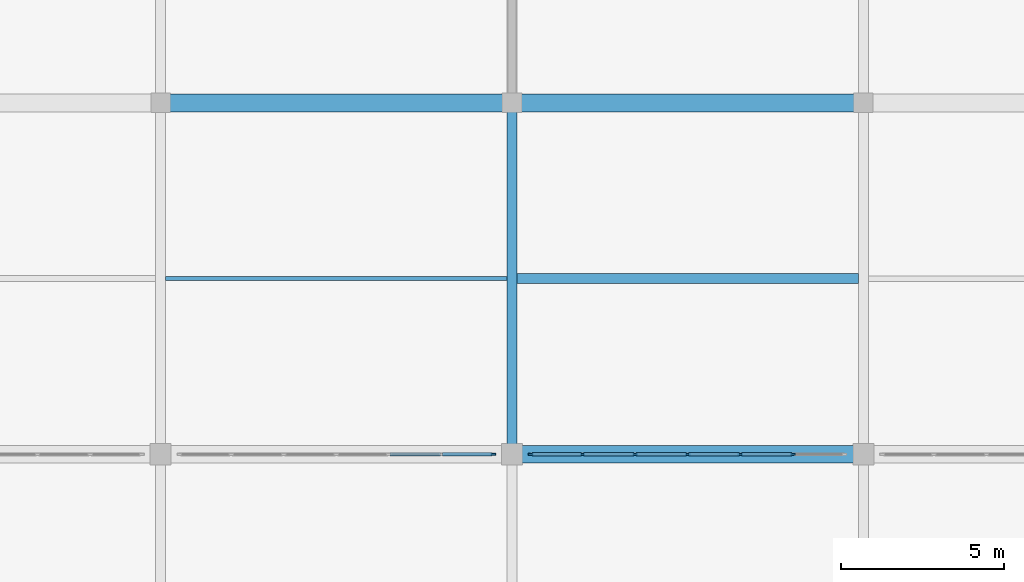
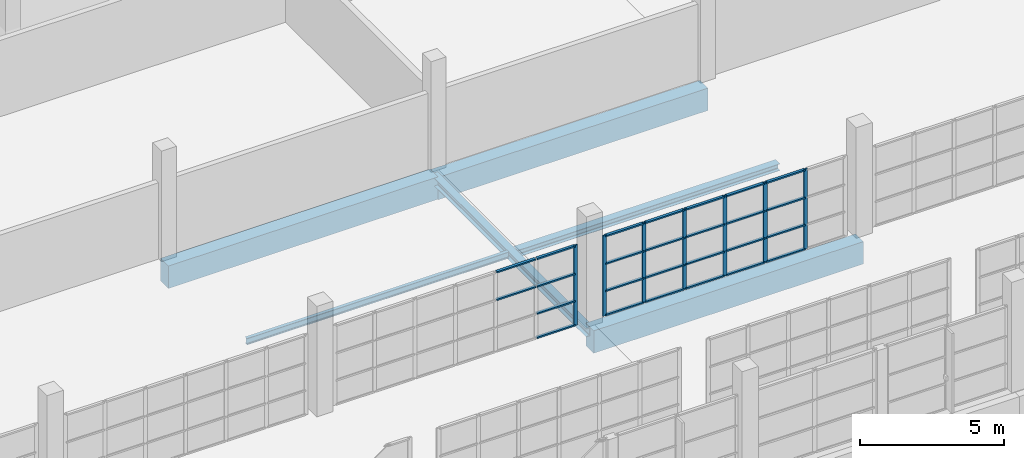
# One storey, part 50 of 142: 33 members, 6 beams, 2 elements without a shape of their own.
"""IFC4 building model written with IfcOpenShell, lengths in metres."""

from ifc_helpers import new_model, si_unit, direction, frame, origin, origin_2d, place, context, subcontext, project, spatial, rectangle, i_section, extrude, material, material_profile, profile_set, type_object, element, aggregate, save


model = new_model("IFC4")

# Units and contexts
model_context = context("Model", 3, precision=1e-05, world=origin(), true_north=direction((0.0, 1.0)))
body_context = subcontext(model_context, "Body", "Model", "MODEL_VIEW")
ifc_project = project(units=[si_unit("LENGTHUNIT", "METRE"), si_unit("AREAUNIT", "SQUARE_METRE"), si_unit("VOLUMEUNIT", "CUBIC_METRE"), si_unit("PLANEANGLEUNIT", "RADIAN"), si_unit("MASSUNIT", "GRAM", prefix="KILO")], contexts=[model_context])

# Site, building, storey
site_placement = place(None, origin())
site = spatial("IfcSite", under=ifc_project, at=site_placement, CompositionType="ELEMENT")
building_placement = place(site_placement, origin())
building = spatial("IfcBuilding", under=site, at=building_placement, Name="Zwinboog Wholesale Market", CompositionType="ELEMENT")
storey_placement = place(building_placement, frame((0.0, 0.0, 5.39990234375)))
storey = spatial("IfcBuildingStorey", under=building, at=storey_placement, Name="L01", CompositionType="ELEMENT", Elevation=5.39990234375)

# Beams
ifc_material_1 = material(Name="Precast concrete C45/55", Category="concrete")
ifc_material_profile_1 = material_profile(ifc_material_1, rectangle(XDim=0.550048828125, YDim=0.949951171875, at=origin_2d()), Name="PC 550x950")
ifc_profile_set_1 = profile_set([ifc_material_profile_1], Name="Precast concrete C45/55")
beam_type_1 = type_object("IfcBeamType", Name="BT-02", PredefinedType="BEAM", material=ifc_profile_set_1)
for number, where, z_axis, x_axis, name in (
    (1, (118.800048828125, 97.199951171875, -0.7548828125), (1.0, 0.0, 0.0), (0.0, 1.0, 0.0), "BG-02 (BMG-L01-1188-0972-0536)"),
    (2, (108.0, 108.0, -0.77978515625), (1.0, 0.0, 0.0), (0.0, 1.0, 0.0), "BG-02 (BMG-L01-1080-1080-0551)"),
    (3, (118.800048828125, 108.0, -0.806884765625), (1.0, 0.0, 0.0), (0.0, 1.0, 0.0), "BG-02 (BMG-L01-1188-1080-0552)"),
):
    element("IfcBeam", number, at=place(storey_placement, frame(where, z_axis=z_axis, x_axis=x_axis)), inside=storey, type_object=beam_type_1, Name=name, PredefinedType="BEAM", context=body_context, shape_type="SweptSolid", body=[
        extrude(rectangle(XDim=0.550048828125, YDim=0.949951171875, at=origin_2d()), origin(), (0.0, 0.0, 1.0), 10.800048828125),
    ])
ifc_material_2 = material(Name="Steel S355", Category="steel")
ifc_material_profile_2 = material_profile(ifc_material_2, i_section(OverallWidth=0.300048828125, OverallDepth=0.35009765625, WebThickness=0.010009765625, FlangeThickness=0.017578125, FilletRadius=0.027099609375, at=origin_2d()), Name="HEA 360")
ifc_profile_set_2 = profile_set([ifc_material_profile_2], Name="Steel S355")
beam_type_2 = type_object("IfcBeamType", Name="BT-17", PredefinedType="BEAM", material=ifc_profile_set_2)
beam_1_placement = place(storey_placement, frame((118.800048828125, 97.199951171875, -0.47998046875), z_axis=(0.0, 1.0, 0.0), x_axis=(-1.0, 0.0, 0.0)))
element("IfcBeam", 4, at=beam_1_placement, inside=storey, type_object=beam_type_2, Name="SB-04 (BMG-L01-1188-0972-0700)", PredefinedType="BEAM", context=body_context, shape_type="SweptSolid", body=[
    extrude(i_section(OverallWidth=0.300048828125, OverallDepth=0.35009765625, WebThickness=0.010009765625, FlangeThickness=0.017578125, FilletRadius=0.027099609375, at=origin_2d()), origin(), (0.0, 0.0, 1.0), 10.800048828125),
])
ifc_material_profile_3 = material_profile(ifc_material_2, i_section(OverallWidth=0.300048828125, OverallDepth=0.2900390625, WebThickness=0.008544921875, FlangeThickness=0.013916015625, FilletRadius=0.027099609375, at=origin_2d()), Name="HEA 300")
ifc_profile_set_3 = profile_set([ifc_material_profile_3], Name="Steel S355")
beam_type_3 = type_object("IfcBeamType", Name="BT-18", PredefinedType="JOIST", material=ifc_profile_set_3)
beam_2_placement = place(storey_placement, frame((118.949951171875, 102.60009765625, -0.4248046875), z_axis=(1.0, 0.0, 0.0), x_axis=(0.0, 1.0, 0.0)))
element("IfcBeam", 5, at=beam_2_placement, inside=storey, type_object=beam_type_3, Name="SJ-01 (BMG-L01-1190-1026-0841)", PredefinedType="JOIST", context=body_context, shape_type="SweptSolid", body=[
    extrude(i_section(OverallWidth=0.300048828125, OverallDepth=0.2900390625, WebThickness=0.008544921875, FlangeThickness=0.013916015625, FilletRadius=0.027099609375, at=origin_2d()), origin(), (0.0, 0.0, 1.0), 10.5),
])
ifc_material_profile_4 = material_profile(ifc_material_2, i_section(OverallWidth=0.135009765625, OverallDepth=0.27001953125, WebThickness=0.006591796875, FlangeThickness=0.01025390625, FilletRadius=0.014892578125, at=origin_2d()), Name="IPE 270")
ifc_profile_set_4 = profile_set([ifc_material_profile_4], Name="Steel S355")
beam_type_4 = type_object("IfcBeamType", Name="BT-21", PredefinedType="JOIST", material=ifc_profile_set_4)
beam_3_placement = place(storey_placement, frame((108.14990234375, 102.60009765625, -0.414794921875), z_axis=(1.0, 0.0, 0.0), x_axis=(0.0, 1.0, 0.0)))
element("IfcBeam", 6, at=beam_3_placement, inside=storey, type_object=beam_type_4, Name="SJ-04 (BMG-L01-1082-1026-0839)", PredefinedType="JOIST", context=body_context, shape_type="SweptSolid", body=[
    extrude(i_section(OverallWidth=0.135009765625, OverallDepth=0.27001953125, WebThickness=0.006591796875, FlangeThickness=0.01025390625, FilletRadius=0.014892578125, at=origin_2d()), origin(), (0.0, 0.0, 1.0), 10.5),
])

# Curtain wall, member
ifc_material_3 = material(Name="Aluminium thermally broken curtain wall", Category="aluminium")
curtain_wall_type = type_object("IfcCurtainWallType", Name="CWT-INT-STALL", PredefinedType="USERDEFINED", material=ifc_material_3)
curtain_wall_1_placement = place(storey_placement, origin())
curtain_wall_1 = element("IfcCurtainWall", 7, at=curtain_wall_1_placement, inside=storey, type_object=curtain_wall_type, Name="CW-07 (CW-STL-249)", ObjectType="STOREFRONT_GLAZING", PredefinedType="USERDEFINED")
ifc_material_4 = material(Name="Aluminium EN AW-6060", Category="aluminium")
ifc_material_profile_5 = material_profile(ifc_material_4, rectangle(XDim=0.06005859375, YDim=0.14990234375, at=origin_2d()), Name="AL 60x150")
ifc_profile_set_5 = profile_set([ifc_material_profile_5], Name="Aluminium EN AW-6060")
member_type_1 = type_object("IfcMemberType", Name="CWM-INT-60x120", PredefinedType="MULLION", material=ifc_profile_set_5)
member_1_placement = place(storey_placement, frame((118.219970703125, 97.199951171875, 0.0), z_axis=(0.0, 0.0, 1.0), x_axis=(0.0, 1.0, 0.0)))
member_1 = element("IfcMember", 8, at=member_1_placement, type_object=member_type_1, Name="CW-07 mullion 7", PredefinedType="MULLION", context=body_context, shape_type="SweptSolid", body=[
    extrude(rectangle(XDim=0.06005859375, YDim=0.14990234375, at=origin_2d()), origin(), (0.0, 0.0, 1.0), 3.400146484375),
])

# Curtain wall, members
curtain_wall_2_placement = place(storey_placement, origin())
curtain_wall_2 = element("IfcCurtainWall", 9, at=curtain_wall_2_placement, inside=storey, type_object=curtain_wall_type, Name="CW-07 (CW-STL-250)", ObjectType="STOREFRONT_GLAZING", PredefinedType="USERDEFINED")
member_2_placement = place(storey_placement, frame((119.3798828125, 97.199951171875, 0.0), z_axis=(0.0, 0.0, 1.0), x_axis=(0.0, 1.0, 0.0)))
member_2 = element("IfcMember", 10, at=member_2_placement, type_object=member_type_1, Name="CW-07 mullion 1", PredefinedType="MULLION", context=body_context, shape_type="SweptSolid", body=[
    extrude(rectangle(XDim=0.06005859375, YDim=0.14990234375, at=origin_2d()), origin(), (0.0, 0.0, 1.0), 3.400146484375),
])
member_3_placement = place(storey_placement, frame((120.966552734375, 97.199951171875, 0.0), z_axis=(0.0, 0.0, 1.0), x_axis=(0.0, 1.0, 0.0)))
member_3 = element("IfcMember", 11, at=member_3_placement, type_object=member_type_1, Name="CW-07 mullion 2", PredefinedType="MULLION", context=body_context, shape_type="SweptSolid", body=[
    extrude(rectangle(XDim=0.06005859375, YDim=0.14990234375, at=origin_2d()), origin(), (0.0, 0.0, 1.0), 3.400146484375),
])
member_4_placement = place(storey_placement, frame((122.583251953125, 97.199951171875, 0.0), z_axis=(0.0, 0.0, 1.0), x_axis=(0.0, 1.0, 0.0)))
member_4 = element("IfcMember", 12, at=member_4_placement, type_object=member_type_1, Name="CW-07 mullion 3", PredefinedType="MULLION", context=body_context, shape_type="SweptSolid", body=[
    extrude(rectangle(XDim=0.06005859375, YDim=0.14990234375, at=origin_2d()), origin(), (0.0, 0.0, 1.0), 3.400146484375),
])
member_5_placement = place(storey_placement, frame((124.199951171875, 97.199951171875, 0.0), z_axis=(0.0, 0.0, 1.0), x_axis=(0.0, 1.0, 0.0)))
member_5 = element("IfcMember", 13, at=member_5_placement, type_object=member_type_1, Name="CW-07 mullion 4", PredefinedType="MULLION", context=body_context, shape_type="SweptSolid", body=[
    extrude(rectangle(XDim=0.06005859375, YDim=0.14990234375, at=origin_2d()), origin(), (0.0, 0.0, 1.0), 3.400146484375),
])
member_6_placement = place(storey_placement, frame((125.816650390625, 97.199951171875, 0.0), z_axis=(0.0, 0.0, 1.0), x_axis=(0.0, 1.0, 0.0)))
member_6 = element("IfcMember", 14, at=member_6_placement, type_object=member_type_1, Name="CW-07 mullion 5", PredefinedType="MULLION", context=body_context, shape_type="SweptSolid", body=[
    extrude(rectangle(XDim=0.06005859375, YDim=0.14990234375, at=origin_2d()), origin(), (0.0, 0.0, 1.0), 3.400146484375),
])
member_7_placement = place(storey_placement, frame((127.433349609375, 97.199951171875, 0.0), z_axis=(0.0, 0.0, 1.0), x_axis=(0.0, 1.0, 0.0)))
member_7 = element("IfcMember", 15, at=member_7_placement, type_object=member_type_1, Name="CW-07 mullion 6", PredefinedType="MULLION", context=body_context, shape_type="SweptSolid", body=[
    extrude(rectangle(XDim=0.06005859375, YDim=0.14990234375, at=origin_2d()), origin(), (0.0, 0.0, 1.0), 3.400146484375),
])

# Member
ifc_material_profile_6 = material_profile(ifc_material_4, rectangle(XDim=0.110107421875, YDim=0.06005859375, at=origin_2d()), Name="AL 60x110")
ifc_profile_set_6 = profile_set([ifc_material_profile_6], Name="Aluminium EN AW-6060")
member_type_2 = type_object("IfcMemberType", Name="CWT-INT-60x100", PredefinedType="USERDEFINED", material=ifc_profile_set_6)
member_8_placement = place(storey_placement, frame((115.046630859375, 97.199951171875, 2.2001953125), z_axis=(1.0, 0.0, 0.0), x_axis=(0.0, 1.0, 0.0)))
member_8 = element("IfcMember", 16, at=member_8_placement, type_object=member_type_2, Name="CW-07 transom 5.3", ObjectType="TRANSOM", PredefinedType="USERDEFINED", context=body_context, shape_type="SweptSolid", body=[
    extrude(rectangle(XDim=0.110107421875, YDim=0.06005859375, at=origin_2d()), origin(), (0.0, 0.0, 1.0), 1.556640625),
])

member_9_placement = place(storey_placement, frame((115.046630859375, 97.199951171875, 3.3701171875), z_axis=(1.0, 0.0, 0.0), x_axis=(0.0, 1.0, 0.0)))
member_9 = element("IfcMember", 17, at=member_9_placement, type_object=member_type_2, Name="CW-07 transom 5.4", ObjectType="TRANSOM", PredefinedType="USERDEFINED", context=body_context, shape_type="SweptSolid", body=[
    extrude(rectangle(XDim=0.110107421875, YDim=0.06005859375, at=origin_2d()), origin(), (0.0, 0.0, 1.0), 1.556640625),
])

member_10_placement = place(storey_placement, frame((116.663330078125, 97.199951171875, 0.030029296875), z_axis=(1.0, 0.0, 0.0), x_axis=(0.0, 1.0, 0.0)))
member_10 = element("IfcMember", 18, at=member_10_placement, type_object=member_type_2, Name="CW-07 transom 6.1", ObjectType="TRANSOM", PredefinedType="USERDEFINED", context=body_context, shape_type="SweptSolid", body=[
    extrude(rectangle(XDim=0.110107421875, YDim=0.06005859375, at=origin_2d()), origin(), (0.0, 0.0, 1.0), 1.526611328125),
])

member_11_placement = place(storey_placement, frame((116.663330078125, 97.199951171875, 1.050048828125), z_axis=(1.0, 0.0, 0.0), x_axis=(0.0, 1.0, 0.0)))
member_11 = element("IfcMember", 19, at=member_11_placement, type_object=member_type_2, Name="CW-07 transom 6.2", ObjectType="TRANSOM", PredefinedType="USERDEFINED", context=body_context, shape_type="SweptSolid", body=[
    extrude(rectangle(XDim=0.110107421875, YDim=0.06005859375, at=origin_2d()), origin(), (0.0, 0.0, 1.0), 1.526611328125),
])

member_12_placement = place(storey_placement, frame((116.663330078125, 97.199951171875, 2.2001953125), z_axis=(1.0, 0.0, 0.0), x_axis=(0.0, 1.0, 0.0)))
member_12 = element("IfcMember", 20, at=member_12_placement, type_object=member_type_2, Name="CW-07 transom 6.3", ObjectType="TRANSOM", PredefinedType="USERDEFINED", context=body_context, shape_type="SweptSolid", body=[
    extrude(rectangle(XDim=0.110107421875, YDim=0.06005859375, at=origin_2d()), origin(), (0.0, 0.0, 1.0), 1.526611328125),
])

member_13_placement = place(storey_placement, frame((116.663330078125, 97.199951171875, 3.3701171875), z_axis=(1.0, 0.0, 0.0), x_axis=(0.0, 1.0, 0.0)))
member_13 = element("IfcMember", 21, at=member_13_placement, type_object=member_type_2, Name="CW-07 transom 6.4", ObjectType="TRANSOM", PredefinedType="USERDEFINED", context=body_context, shape_type="SweptSolid", body=[
    extrude(rectangle(XDim=0.110107421875, YDim=0.06005859375, at=origin_2d()), origin(), (0.0, 0.0, 1.0), 1.526611328125),
])

aggregate(curtain_wall_1, [member_1, member_8, member_9, member_10, member_11, member_12, member_13])

member_14_placement = place(storey_placement, frame((119.409912109375, 97.199951171875, 0.030029296875), z_axis=(1.0, 0.0, 0.0), x_axis=(0.0, 1.0, 0.0)))
member_14 = element("IfcMember", 22, at=member_14_placement, type_object=member_type_2, Name="CW-07 transom 1.1", ObjectType="TRANSOM", PredefinedType="USERDEFINED", context=body_context, shape_type="SweptSolid", body=[
    extrude(rectangle(XDim=0.110107421875, YDim=0.06005859375, at=origin_2d()), origin(), (0.0, 0.0, 1.0), 1.52685546875),
])

member_15_placement = place(storey_placement, frame((119.409912109375, 97.199951171875, 1.050048828125), z_axis=(1.0, 0.0, 0.0), x_axis=(0.0, 1.0, 0.0)))
member_15 = element("IfcMember", 23, at=member_15_placement, type_object=member_type_2, Name="CW-07 transom 1.2", ObjectType="TRANSOM", PredefinedType="USERDEFINED", context=body_context, shape_type="SweptSolid", body=[
    extrude(rectangle(XDim=0.110107421875, YDim=0.06005859375, at=origin_2d()), origin(), (0.0, 0.0, 1.0), 1.52685546875),
])

member_16_placement = place(storey_placement, frame((119.409912109375, 97.199951171875, 2.2001953125), z_axis=(1.0, 0.0, 0.0), x_axis=(0.0, 1.0, 0.0)))
member_16 = element("IfcMember", 24, at=member_16_placement, type_object=member_type_2, Name="CW-07 transom 1.3", ObjectType="TRANSOM", PredefinedType="USERDEFINED", context=body_context, shape_type="SweptSolid", body=[
    extrude(rectangle(XDim=0.110107421875, YDim=0.06005859375, at=origin_2d()), origin(), (0.0, 0.0, 1.0), 1.52685546875),
])

member_17_placement = place(storey_placement, frame((119.409912109375, 97.199951171875, 3.3701171875), z_axis=(1.0, 0.0, 0.0), x_axis=(0.0, 1.0, 0.0)))
member_17 = element("IfcMember", 25, at=member_17_placement, type_object=member_type_2, Name="CW-07 transom 1.4", ObjectType="TRANSOM", PredefinedType="USERDEFINED", context=body_context, shape_type="SweptSolid", body=[
    extrude(rectangle(XDim=0.110107421875, YDim=0.06005859375, at=origin_2d()), origin(), (0.0, 0.0, 1.0), 1.52685546875),
])

member_18_placement = place(storey_placement, frame((120.99658203125, 97.199951171875, 0.030029296875), z_axis=(1.0, 0.0, 0.0), x_axis=(0.0, 1.0, 0.0)))
member_18 = element("IfcMember", 26, at=member_18_placement, type_object=member_type_2, Name="CW-07 transom 2.1", ObjectType="TRANSOM", PredefinedType="USERDEFINED", context=body_context, shape_type="SweptSolid", body=[
    extrude(rectangle(XDim=0.110107421875, YDim=0.06005859375, at=origin_2d()), origin(), (0.0, 0.0, 1.0), 1.556640625),
])

member_19_placement = place(storey_placement, frame((120.99658203125, 97.199951171875, 1.050048828125), z_axis=(1.0, 0.0, 0.0), x_axis=(0.0, 1.0, 0.0)))
member_19 = element("IfcMember", 27, at=member_19_placement, type_object=member_type_2, Name="CW-07 transom 2.2", ObjectType="TRANSOM", PredefinedType="USERDEFINED", context=body_context, shape_type="SweptSolid", body=[
    extrude(rectangle(XDim=0.110107421875, YDim=0.06005859375, at=origin_2d()), origin(), (0.0, 0.0, 1.0), 1.556640625),
])

member_20_placement = place(storey_placement, frame((120.99658203125, 97.199951171875, 2.2001953125), z_axis=(1.0, 0.0, 0.0), x_axis=(0.0, 1.0, 0.0)))
member_20 = element("IfcMember", 28, at=member_20_placement, type_object=member_type_2, Name="CW-07 transom 2.3", ObjectType="TRANSOM", PredefinedType="USERDEFINED", context=body_context, shape_type="SweptSolid", body=[
    extrude(rectangle(XDim=0.110107421875, YDim=0.06005859375, at=origin_2d()), origin(), (0.0, 0.0, 1.0), 1.556640625),
])

member_21_placement = place(storey_placement, frame((120.99658203125, 97.199951171875, 3.3701171875), z_axis=(1.0, 0.0, 0.0), x_axis=(0.0, 1.0, 0.0)))
member_21 = element("IfcMember", 29, at=member_21_placement, type_object=member_type_2, Name="CW-07 transom 2.4", ObjectType="TRANSOM", PredefinedType="USERDEFINED", context=body_context, shape_type="SweptSolid", body=[
    extrude(rectangle(XDim=0.110107421875, YDim=0.06005859375, at=origin_2d()), origin(), (0.0, 0.0, 1.0), 1.556640625),
])

member_22_placement = place(storey_placement, frame((122.61328125, 97.199951171875, 0.030029296875), z_axis=(1.0, 0.0, 0.0), x_axis=(0.0, 1.0, 0.0)))
member_22 = element("IfcMember", 30, at=member_22_placement, type_object=member_type_2, Name="CW-07 transom 3.1", ObjectType="TRANSOM", PredefinedType="USERDEFINED", context=body_context, shape_type="SweptSolid", body=[
    extrude(rectangle(XDim=0.110107421875, YDim=0.06005859375, at=origin_2d()), origin(), (0.0, 0.0, 1.0), 1.556640625),
])

member_23_placement = place(storey_placement, frame((122.61328125, 97.199951171875, 1.050048828125), z_axis=(1.0, 0.0, 0.0), x_axis=(0.0, 1.0, 0.0)))
member_23 = element("IfcMember", 31, at=member_23_placement, type_object=member_type_2, Name="CW-07 transom 3.2", ObjectType="TRANSOM", PredefinedType="USERDEFINED", context=body_context, shape_type="SweptSolid", body=[
    extrude(rectangle(XDim=0.110107421875, YDim=0.06005859375, at=origin_2d()), origin(), (0.0, 0.0, 1.0), 1.556640625),
])

member_24_placement = place(storey_placement, frame((122.61328125, 97.199951171875, 2.2001953125), z_axis=(1.0, 0.0, 0.0), x_axis=(0.0, 1.0, 0.0)))
member_24 = element("IfcMember", 32, at=member_24_placement, type_object=member_type_2, Name="CW-07 transom 3.3", ObjectType="TRANSOM", PredefinedType="USERDEFINED", context=body_context, shape_type="SweptSolid", body=[
    extrude(rectangle(XDim=0.110107421875, YDim=0.06005859375, at=origin_2d()), origin(), (0.0, 0.0, 1.0), 1.556640625),
])

member_25_placement = place(storey_placement, frame((122.61328125, 97.199951171875, 3.3701171875), z_axis=(1.0, 0.0, 0.0), x_axis=(0.0, 1.0, 0.0)))
member_25 = element("IfcMember", 33, at=member_25_placement, type_object=member_type_2, Name="CW-07 transom 3.4", ObjectType="TRANSOM", PredefinedType="USERDEFINED", context=body_context, shape_type="SweptSolid", body=[
    extrude(rectangle(XDim=0.110107421875, YDim=0.06005859375, at=origin_2d()), origin(), (0.0, 0.0, 1.0), 1.556640625),
])

member_26_placement = place(storey_placement, frame((124.22998046875, 97.199951171875, 0.030029296875), z_axis=(1.0, 0.0, 0.0), x_axis=(0.0, 1.0, 0.0)))
member_26 = element("IfcMember", 34, at=member_26_placement, type_object=member_type_2, Name="CW-07 transom 4.1", ObjectType="TRANSOM", PredefinedType="USERDEFINED", context=body_context, shape_type="SweptSolid", body=[
    extrude(rectangle(XDim=0.110107421875, YDim=0.06005859375, at=origin_2d()), origin(), (0.0, 0.0, 1.0), 1.556640625),
])

member_27_placement = place(storey_placement, frame((124.22998046875, 97.199951171875, 1.050048828125), z_axis=(1.0, 0.0, 0.0), x_axis=(0.0, 1.0, 0.0)))
member_27 = element("IfcMember", 35, at=member_27_placement, type_object=member_type_2, Name="CW-07 transom 4.2", ObjectType="TRANSOM", PredefinedType="USERDEFINED", context=body_context, shape_type="SweptSolid", body=[
    extrude(rectangle(XDim=0.110107421875, YDim=0.06005859375, at=origin_2d()), origin(), (0.0, 0.0, 1.0), 1.556640625),
])

member_28_placement = place(storey_placement, frame((124.22998046875, 97.199951171875, 2.2001953125), z_axis=(1.0, 0.0, 0.0), x_axis=(0.0, 1.0, 0.0)))
member_28 = element("IfcMember", 36, at=member_28_placement, type_object=member_type_2, Name="CW-07 transom 4.3", ObjectType="TRANSOM", PredefinedType="USERDEFINED", context=body_context, shape_type="SweptSolid", body=[
    extrude(rectangle(XDim=0.110107421875, YDim=0.06005859375, at=origin_2d()), origin(), (0.0, 0.0, 1.0), 1.556640625),
])

member_29_placement = place(storey_placement, frame((124.22998046875, 97.199951171875, 3.3701171875), z_axis=(1.0, 0.0, 0.0), x_axis=(0.0, 1.0, 0.0)))
member_29 = element("IfcMember", 37, at=member_29_placement, type_object=member_type_2, Name="CW-07 transom 4.4", ObjectType="TRANSOM", PredefinedType="USERDEFINED", context=body_context, shape_type="SweptSolid", body=[
    extrude(rectangle(XDim=0.110107421875, YDim=0.06005859375, at=origin_2d()), origin(), (0.0, 0.0, 1.0), 1.556640625),
])

member_30_placement = place(storey_placement, frame((125.8466796875, 97.199951171875, 0.030029296875), z_axis=(1.0, 0.0, 0.0), x_axis=(0.0, 1.0, 0.0)))
member_30 = element("IfcMember", 38, at=member_30_placement, type_object=member_type_2, Name="CW-07 transom 5.1", ObjectType="TRANSOM", PredefinedType="USERDEFINED", context=body_context, shape_type="SweptSolid", body=[
    extrude(rectangle(XDim=0.110107421875, YDim=0.06005859375, at=origin_2d()), origin(), (0.0, 0.0, 1.0), 1.556640625),
])

member_31_placement = place(storey_placement, frame((125.8466796875, 97.199951171875, 1.050048828125), z_axis=(1.0, 0.0, 0.0), x_axis=(0.0, 1.0, 0.0)))
member_31 = element("IfcMember", 39, at=member_31_placement, type_object=member_type_2, Name="CW-07 transom 5.2", ObjectType="TRANSOM", PredefinedType="USERDEFINED", context=body_context, shape_type="SweptSolid", body=[
    extrude(rectangle(XDim=0.110107421875, YDim=0.06005859375, at=origin_2d()), origin(), (0.0, 0.0, 1.0), 1.556640625),
])

member_32_placement = place(storey_placement, frame((125.8466796875, 97.199951171875, 2.2001953125), z_axis=(1.0, 0.0, 0.0), x_axis=(0.0, 1.0, 0.0)))
member_32 = element("IfcMember", 40, at=member_32_placement, type_object=member_type_2, Name="CW-07 transom 5.3", ObjectType="TRANSOM", PredefinedType="USERDEFINED", context=body_context, shape_type="SweptSolid", body=[
    extrude(rectangle(XDim=0.110107421875, YDim=0.06005859375, at=origin_2d()), origin(), (0.0, 0.0, 1.0), 1.556640625),
])

member_33_placement = place(storey_placement, frame((125.8466796875, 97.199951171875, 3.3701171875), z_axis=(1.0, 0.0, 0.0), x_axis=(0.0, 1.0, 0.0)))
member_33 = element("IfcMember", 41, at=member_33_placement, type_object=member_type_2, Name="CW-07 transom 5.4", ObjectType="TRANSOM", PredefinedType="USERDEFINED", context=body_context, shape_type="SweptSolid", body=[
    extrude(rectangle(XDim=0.110107421875, YDim=0.06005859375, at=origin_2d()), origin(), (0.0, 0.0, 1.0), 1.556640625),
])

aggregate(curtain_wall_2, [member_2, member_3, member_4, member_5, member_6, member_7, member_14, member_15, member_16, member_17, member_18, member_19, member_20, member_21, member_22, member_23, member_24, member_25, member_26, member_27, member_28, member_29, member_30, member_31, member_32, member_33])

save(model, "model.ifc")
